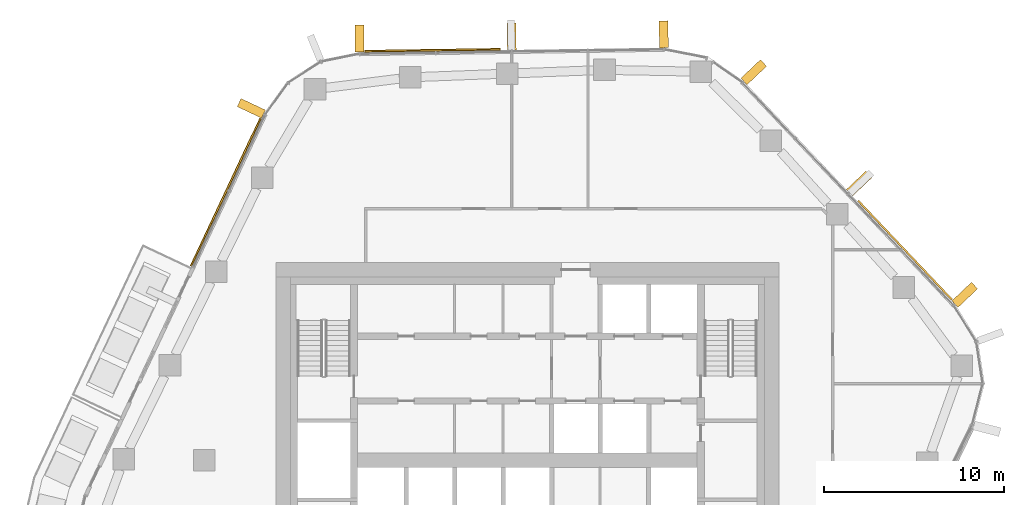
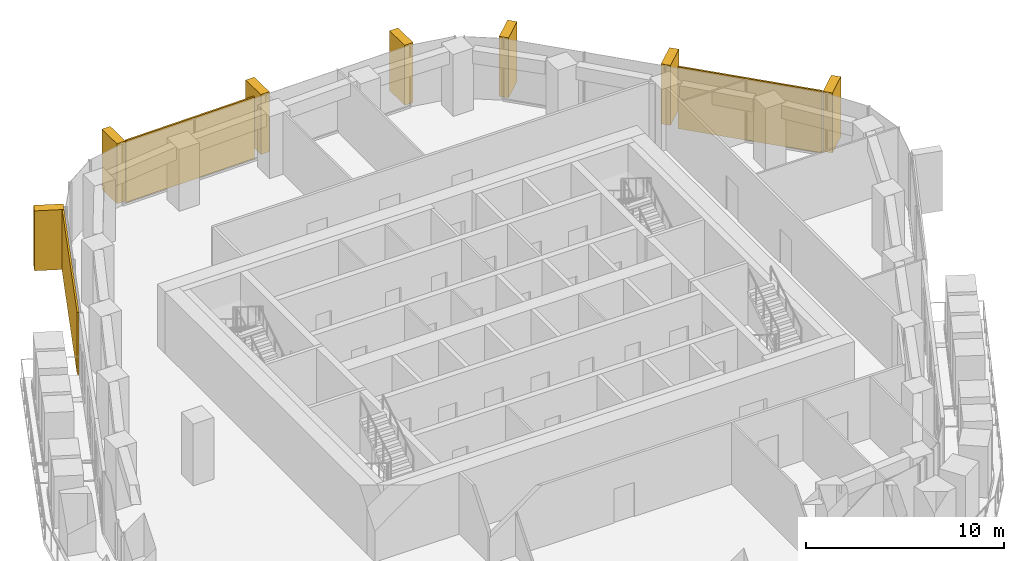
# One storey, part 18 of 18: 10 coverings, 3 elements without a shape of their own.
"""IFC4 building model written with IfcOpenShell, lengths in metres."""

import ifcopenshell
import ifcopenshell.guid

model = None  # the IFC model being written
_history = None  # IfcOwnerHistory: only IFC2X3 demands one
_inside = {}  # id of a spatial element -> (the spatial element, [elements in it])
_under = {}  # id of a project, library or spatial element -> (it, [spatial elements below it])
_declared = {}  # id of a project -> (the project, [libraries it declares])
_typed = {}  # id of a type object -> (the type object, [elements of that type])
_made_of = {}  # id of a material, layer set ... -> (it, [elements and type objects made of it])


def new_model(schema):
    """Start an empty IFC model of exactly this schema.

    Asked for "IFC4X3", IfcOpenShell would pick the latest addendum, in which some entities
    have other attributes; the version numbers below select the first issue.
    IFC2X3 requires an IfcOwnerHistory on every rooted entity: one is made here for all.
    """
    global model, _history
    if schema == "IFC4X3":
        model = ifcopenshell.file(schema_version=(4, 3, 0, 0))
    else:
        model = ifcopenshell.file(schema=schema)
    _inside.clear()
    _under.clear()
    _declared.clear()
    _typed.clear()
    _made_of.clear()
    _history = None
    if model.schema == "IFC2X3":
        org = make("IfcOrganization", Name="unknown")
        user = make(
            "IfcPersonAndOrganization",
            ThePerson=make("IfcPerson", FamilyName="unknown"),
            TheOrganization=org,
        )
        app = make(
            "IfcApplication",
            ApplicationDeveloper=org,
            Version="unknown",
            ApplicationFullName="unknown",
            ApplicationIdentifier="unknown",
        )
        _history = make(
            "IfcOwnerHistory",
            OwningUser=user,
            OwningApplication=app,
            ChangeAction="ADDED",
            CreationDate=0,
        )
    return model


def make(cls, **values):
    """One entity of the class cls with the attributes given. An attribute that is None is left unset."""
    return model.create_entity(
        cls, **{name: value for name, value in values.items() if value is not None}
    )


def rooted(cls, **values):
    """An entity with a GlobalId (a new one), such as an element, a storey or a relation."""
    return make(cls, GlobalId=ifcopenshell.guid.new(), OwnerHistory=_history, **values)


def si_unit(unit_type, name, prefix=None):
    """IfcSIUnit, for example si_unit("LENGTHUNIT", "METRE", prefix="MILLI")."""
    return make("IfcSIUnit", UnitType=unit_type, Prefix=prefix, Name=name)


def assignment(units):
    """IfcUnitAssignment: the units of a project."""
    return None if units is None else make("IfcUnitAssignment", Units=units)


def point(xyz):
    """IfcCartesianPoint."""
    return None if xyz is None else make("IfcCartesianPoint", Coordinates=xyz)


def direction(xyz):
    """IfcDirection."""
    return None if xyz is None else make("IfcDirection", DirectionRatios=xyz)


def frame(location, z_axis=None, x_axis=None):
    """IfcAxis2Placement3D, a coordinate frame: its origin and axes. An axis left out is left unset."""
    return make(
        "IfcAxis2Placement3D",
        Location=point(location),
        Axis=direction(z_axis),
        RefDirection=direction(x_axis),
    )


def frame_2d(location, x_axis=None):
    """IfcAxis2Placement2D, a coordinate frame in the plane: its origin and x axis."""
    return make(
        "IfcAxis2Placement2D", Location=point(location), RefDirection=direction(x_axis)
    )


def origin():
    """The frame at (0, 0, 0) with its axes left unset."""
    return frame((0.0, 0.0, 0.0))


def origin_2d():
    """The frame at (0, 0) in the plane with its x axis left unset."""
    return frame_2d((0.0, 0.0))


def place(relative_to, where):
    """IfcLocalPlacement: puts the frame where relative to a parent placement (None: the world)."""
    return make(
        "IfcLocalPlacement", PlacementRelTo=relative_to, RelativePlacement=where
    )


def context(
    kind, dimensions, precision=None, world=None, true_north=None, identifier=None
):
    """IfcGeometricRepresentationContext, for example the 3D "Model" context."""
    return make(
        "IfcGeometricRepresentationContext",
        ContextIdentifier=identifier,
        ContextType=kind,
        CoordinateSpaceDimension=dimensions,
        Precision=precision,
        WorldCoordinateSystem=world,
        TrueNorth=true_north,
    )


def subcontext(parent, identifier, kind, view, scale=None):
    """IfcGeometricRepresentationSubContext, for example "Body" below "Model"."""
    return make(
        "IfcGeometricRepresentationSubContext",
        ContextIdentifier=identifier,
        ContextType=kind,
        ParentContext=parent,
        TargetScale=scale,
        TargetView=view,
    )


def project(units=None, contexts=None):
    """IfcProject with its units and contexts."""
    return rooted(
        "IfcProject",
        Name="project",
        RepresentationContexts=contexts,
        UnitsInContext=assignment(units),
    )


def spatial(cls, under=None, at=None, **own):
    """A site, building, storey or space (cls), placed at a placement, below another one or the project."""
    s = rooted(cls, ObjectPlacement=at, **own)
    if under is not None:
        _under.setdefault(under.id(), (under, []))[1].append(s)
    return s


def profile(cls, at=None, kind="AREA", **sizes):
    """A parametric profile (cls). Its sizes go by their IFC names, for example OverallWidth=200.0."""
    return make(cls, ProfileType=kind, Position=at, **sizes)


def rectangle(**sizes):
    """IfcRectangleProfileDef."""
    return profile("IfcRectangleProfileDef", **sizes)


def extrude(swept, where, along, depth):
    """IfcExtrudedAreaSolid: the profile swept, set in the frame where, extruded along a direction by depth."""
    return make(
        "IfcExtrudedAreaSolid",
        SweptArea=swept,
        Position=where,
        ExtrudedDirection=direction(along),
        Depth=depth,
    )


def shape(context_of_items, identifier, shape_type, items):
    """IfcShapeRepresentation: the items that make up one representation, for example the "Body"."""
    return make(
        "IfcShapeRepresentation",
        ContextOfItems=context_of_items,
        RepresentationIdentifier=identifier,
        RepresentationType=shape_type,
        Items=items,
    )


def material(Name=None, Category=None):
    """IfcMaterial."""
    return make("IfcMaterial", Name=Name, Category=Category)


def layer(
    of_material, thickness, ventilated=None, Name=None, Category=None, Priority=None
):
    """IfcMaterialLayer: one layer of a wall or slab, of a material (None: an air gap)."""
    return make(
        "IfcMaterialLayer",
        Material=of_material,
        LayerThickness=thickness,
        IsVentilated=ventilated,
        Name=Name,
        Category=Category,
        Priority=Priority,
    )


def layer_set(layers, Name=None):
    """IfcMaterialLayerSet."""
    return make("IfcMaterialLayerSet", MaterialLayers=layers, LayerSetName=Name)


def material_profile(
    of_material, cross_section, Name=None, Category=None, Priority=None
):
    """IfcMaterialProfile: a cross section and its material."""
    return make(
        "IfcMaterialProfile",
        Name=Name,
        Material=of_material,
        Profile=cross_section,
        Priority=Priority,
        Category=Category,
    )


def profile_set(profiles, Name=None, composite=None):
    """IfcMaterialProfileSet."""
    return make(
        "IfcMaterialProfileSet",
        Name=Name,
        MaterialProfiles=profiles,
        CompositeProfile=composite,
    )


def made_of(thing, what):
    """Note that an element or type object is made of a material, layer set ...; save() writes the relation."""
    if what is not None:
        _made_of.setdefault(what.id(), (what, []))[1].append(thing)
    return thing


def type_object(cls, material=None, **own):
    """A type object (cls), such as IfcWallType, which elements share."""
    return made_of(rooted(cls, **own), material)


def element(
    cls,
    number,
    at=None,
    inside=None,
    cuts=None,
    type_object=None,
    material=None,
    context=None,
    identifier="Body",
    shape_type=None,
    held_by="IfcProductDefinitionShape",
    body=None,
    shapes=None,
    **own,
):
    """One element of the class cls, such as IfcWall. Its Tag is "e" and its number.

    at: its placement. inside: the storey or other place that contains it. cuts: it is an
    opening in that element (IfcRelVoidsElement). A single representation is given by context,
    identifier, shape_type and body (its items); several are given by shapes. held_by: the class
    of the entity that holds the representations. save() writes the other relations.
    """
    e = rooted(cls, Tag="e%d" % number, ObjectPlacement=at, **own)
    if body is not None:
        shapes = [shape(context, identifier, shape_type, body)]
    if shapes is not None:
        e.Representation = make(held_by, Representations=shapes)
    if inside is not None:
        _inside.setdefault(inside.id(), (inside, []))[1].append(e)
    if cuts is not None:
        rooted(
            "IfcRelVoidsElement", RelatingBuildingElement=cuts, RelatedOpeningElement=e
        )
    if type_object is not None:
        _typed.setdefault(type_object.id(), (type_object, []))[1].append(e)
    return made_of(e, material)


def aggregate(whole, parts):
    """IfcRelAggregates: a whole, such as a stair, and the parts it consists of."""
    return rooted("IfcRelAggregates", RelatingObject=whole, RelatedObjects=parts)


def save(model, path):
    """Write the relations noted so far, then the file.

    IfcRelAggregates (storeys below a building ...), IfcRelContainedInSpatialStructure (elements
    in a storey), IfcRelDefinesByType, IfcRelAssociatesMaterial and IfcRelDeclares: one each for
    every whole, place, type object, material and project.
    """
    for whole, parts in _under.values():
        aggregate(whole, parts)
    for where, things in _inside.values():
        rooted(
            "IfcRelContainedInSpatialStructure",
            RelatedElements=things,
            RelatingStructure=where,
        )
    for kind, things in _typed.values():
        rooted("IfcRelDefinesByType", RelatedObjects=things, RelatingType=kind)
    for what, things in _made_of.values():
        rooted("IfcRelAssociatesMaterial", RelatedObjects=things, RelatingMaterial=what)
    for by, libraries in _declared.values():
        rooted("IfcRelDeclares", RelatingContext=by, RelatedDefinitions=libraries)
    model.write(path)


model = new_model("IFC4")

# Units and contexts
model_context = context("Model", 3, precision=1e-05, world=origin(), true_north=direction((0.0, 1.0)))
body_context = subcontext(model_context, "Body", "Model", "MODEL_VIEW")
ifc_project = project(units=[si_unit("LENGTHUNIT", "METRE"), si_unit("AREAUNIT", "SQUARE_METRE"), si_unit("VOLUMEUNIT", "CUBIC_METRE"), si_unit("PLANEANGLEUNIT", "RADIAN"), si_unit("MASSUNIT", "GRAM", prefix="KILO")], contexts=[model_context])

# Site, building, storey
site_placement = place(None, origin())
site = spatial("IfcSite", under=ifc_project, at=site_placement, CompositionType="ELEMENT")
building_placement = place(site_placement, origin())
building = spatial("IfcBuilding", under=site, at=building_placement, Name="Dongbaek Canopy Tower", CompositionType="ELEMENT")
storey_placement = place(building_placement, frame((0.0, 0.0, 162.800048828125)))
storey = spatial("IfcBuildingStorey", under=building, at=storey_placement, Name="L35", CompositionType="ELEMENT", Elevation=162.800048828125)

# Curtain wall, covering
ifc_material_1 = material(Name="Aluminium 6063-T6 pale anodised", Category="aluminium")
ifc_layer_1 = layer(ifc_material_1, 0.199951171875)
ifc_layer_set_1 = layer_set([ifc_layer_1], Name="CW-1 unitised tower curtain wall")
curtain_wall_type = type_object("IfcCurtainWallType", Name="CW-1 unitised tower curtain wall", PredefinedType="NOTDEFINED", material=ifc_layer_set_1)
curtain_wall_1_placement = place(storey_placement, origin())
curtain_wall_1 = element("IfcCurtainWall", 1, at=curtain_wall_1_placement, inside=storey, type_object=curtain_wall_type, Name="CW-1 curtain wall F0.1", PredefinedType="NOTDEFINED")
ifc_material_2 = material(Name="Perforated aluminium 6063-T6 pale metal screen", Category="aluminium")
ifc_layer_2 = layer(ifc_material_2, 0.10009765625)
ifc_layer_set_2 = layer_set([ifc_layer_2], Name="Facet screen FS1 100 pale metal")
covering_type_1 = type_object("IfcCoveringType", Name="Facet screen FS1 100 pale metal", PredefinedType="CLADDING", material=ifc_layer_set_2)
covering_1_placement = place(storey_placement, frame((21.027587890625, 11.70068359375, 0.0), z_axis=(0.0, 0.0, 1.0), x_axis=(-0.688043072048, 0.725669849867, 0.0)))
covering_1 = element("IfcCovering", 2, at=covering_1_placement, type_object=covering_type_1, Name="Facet screen L35 F0", PredefinedType="CLADDING", context=body_context, shape_type="SweptSolid", body=[
    extrude(rectangle(XDim=7.606201171875, YDim=0.10009765625, at=origin_2d()), origin(), (0.0, 0.0, 1.0), 3.820068359375),
])

curtain_wall_2_placement = place(storey_placement, origin())
curtain_wall_2 = element("IfcCurtainWall", 3, at=curtain_wall_2_placement, inside=storey, type_object=curtain_wall_type, Name="CW-1 curtain wall F1.1", PredefinedType="NOTDEFINED")
covering_2_placement = place(storey_placement, frame((-5.271240234375, 22.83203125, 0.0), z_axis=(0.0, 0.0, 1.0), x_axis=(-0.999898063399, -0.014278053439, 0.0)))
covering_2 = element("IfcCovering", 4, at=covering_2_placement, type_object=covering_type_1, Name="Facet screen L35 F1", PredefinedType="CLADDING", context=body_context, shape_type="SweptSolid", body=[
    extrude(rectangle(XDim=7.552001953125, YDim=0.10009765625, at=origin_2d()), origin(), (0.0, 0.0, 1.0), 3.820068359375),
])

curtain_wall_3_placement = place(storey_placement, origin())
curtain_wall_3 = element("IfcCurtainWall", 5, at=curtain_wall_3_placement, inside=storey, type_object=curtain_wall_type, Name="CW-1 curtain wall F2.1", PredefinedType="NOTDEFINED")
covering_3_placement = place(storey_placement, frame((-16.7919921875, 14.927001953125, 0.0), z_axis=(0.0, 0.0, 1.0), x_axis=(-0.426207212847, -0.904625564373, 0.0)))
covering_3 = element("IfcCovering", 6, at=covering_3_placement, type_object=covering_type_1, Name="Facet screen L35 F2", PredefinedType="CLADDING", context=body_context, shape_type="SweptSolid", body=[
    extrude(rectangle(XDim=9.081298828125, YDim=0.10009765625, at=origin_2d()), origin(), (0.0, 0.0, 1.0), 3.820068359375),
])

# Covering
ifc_material_3 = material(Name="Aluminium 6063-T6 pale metal fin", Category="aluminium")
ifc_material_profile = material_profile(ifc_material_3, rectangle(XDim=1.5, YDim=0.5, at=origin_2d()), Name="Fin FN1 500 x 1500 pale metal")
ifc_profile_set = profile_set([ifc_material_profile], Name="Aluminium 6063-T6 pale metal fin")
covering_type_2 = type_object("IfcCoveringType", Name="Fin FN1 500 x 1500 pale metal", PredefinedType="CLADDING", material=ifc_profile_set)
covering_4_placement = place(storey_placement, frame((24.354736328125, 9.21484375, 0.119873046875), z_axis=(0.0, 0.0, 1.0), x_axis=(0.725670208769, 0.688042693519, 0.0)))
covering_4 = element("IfcCovering", 7, at=covering_4_placement, type_object=covering_type_2, Name="Fin F0.1.1", PredefinedType="CLADDING", context=body_context, shape_type="SweptSolid", body=[
    extrude(rectangle(XDim=1.5, YDim=0.5, at=origin_2d()), origin(), (0.0, 0.0, 1.0), 3.7001953125),
])

covering_5_placement = place(storey_placement, frame((18.479736328125, 15.4111328125, 0.119873046875), z_axis=(0.0, 0.0, 1.0), x_axis=(0.725670208769, 0.688042693519, 0.0)))
covering_5 = element("IfcCovering", 8, at=covering_5_placement, type_object=covering_type_2, Name="Fin F0.1.3", PredefinedType="CLADDING", context=body_context, shape_type="SweptSolid", body=[
    extrude(rectangle(XDim=1.5, YDim=0.5, at=origin_2d()), origin(), (0.0, 0.0, 1.0), 3.7001953125),
])

covering_6_placement = place(storey_placement, frame((12.604736328125, 21.607421875, 0.119873046875), z_axis=(0.0, 0.0, 1.0), x_axis=(0.725670208769, 0.688042693519, 0.0)))
covering_6 = element("IfcCovering", 9, at=covering_6_placement, type_object=covering_type_2, Name="Fin F0.1.5", PredefinedType="CLADDING", context=body_context, shape_type="SweptSolid", body=[
    extrude(rectangle(XDim=1.5, YDim=0.5, at=origin_2d()), origin(), (0.0, 0.0, 1.0), 3.7001953125),
])

aggregate(curtain_wall_1, [covering_4, covering_5, covering_6, covering_1])

covering_7_placement = place(storey_placement, frame((7.592529296875, 23.719970703125, 0.119873046875), z_axis=(0.0, 0.0, 1.0), x_axis=(-0.014277328293, 0.999898073754, 0.0)))
covering_7 = element("IfcCovering", 10, at=covering_7_placement, type_object=covering_type_2, Name="Fin F1.1.1", PredefinedType="CLADDING", context=body_context, shape_type="SweptSolid", body=[
    extrude(rectangle(XDim=1.5, YDim=0.5, at=origin_2d()), origin(), (0.0, 0.0, 1.0), 3.7001953125),
])

covering_8_placement = place(storey_placement, frame((-0.876708984375, 23.598876953125, 0.119873046875), z_axis=(0.0, 0.0, 1.0), x_axis=(-0.014277328293, 0.999898073754, 0.0)))
covering_8 = element("IfcCovering", 11, at=covering_8_placement, type_object=covering_type_2, Name="Fin F1.1.3", PredefinedType="CLADDING", context=body_context, shape_type="SweptSolid", body=[
    extrude(rectangle(XDim=1.5, YDim=0.5, at=origin_2d()), origin(), (0.0, 0.0, 1.0), 3.7001953125),
])

covering_9_placement = place(storey_placement, frame((-9.346923828125, 23.47802734375, 0.119873046875), z_axis=(0.0, 0.0, 1.0), x_axis=(-0.014277328293, 0.999898073754, 0.0)))
covering_9 = element("IfcCovering", 12, at=covering_9_placement, type_object=covering_type_2, Name="Fin F1.1.5", PredefinedType="CLADDING", context=body_context, shape_type="SweptSolid", body=[
    extrude(rectangle(XDim=1.5, YDim=0.5, at=origin_2d()), origin(), (0.0, 0.0, 1.0), 3.7001953125),
])

aggregate(curtain_wall_2, [covering_7, covering_8, covering_9, covering_2])

covering_10_placement = place(storey_placement, frame((-15.3701171875, 19.596923828125, 0.119873046875), z_axis=(0.0, 0.0, 1.0), x_axis=(-0.904625717834, 0.426206887126, 0.0)))
covering_10 = element("IfcCovering", 13, at=covering_10_placement, type_object=covering_type_2, Name="Fin F2.1.1", PredefinedType="CLADDING", context=body_context, shape_type="SweptSolid", body=[
    extrude(rectangle(XDim=1.5, YDim=0.5, at=origin_2d()), origin(), (0.0, 0.0, 1.0), 3.7001953125),
])

aggregate(curtain_wall_3, [covering_10, covering_3])

save(model, "model.ifc")
